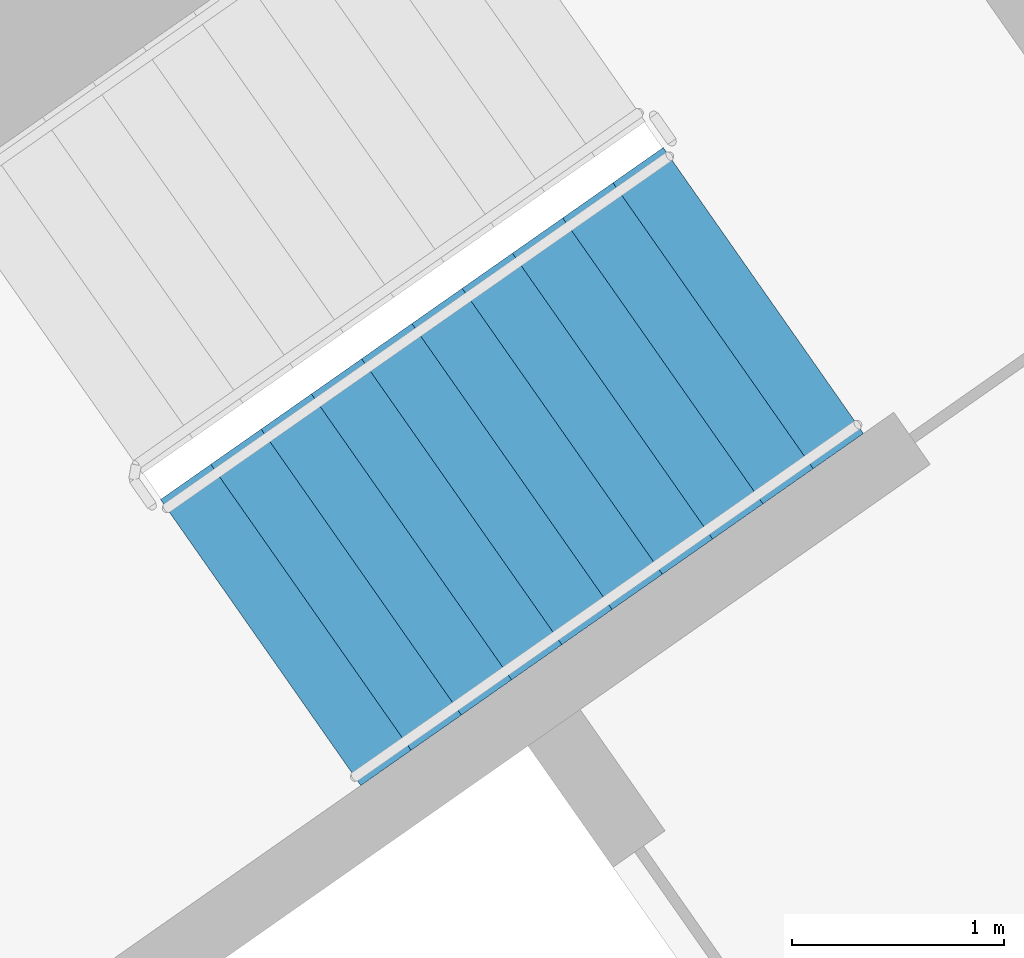
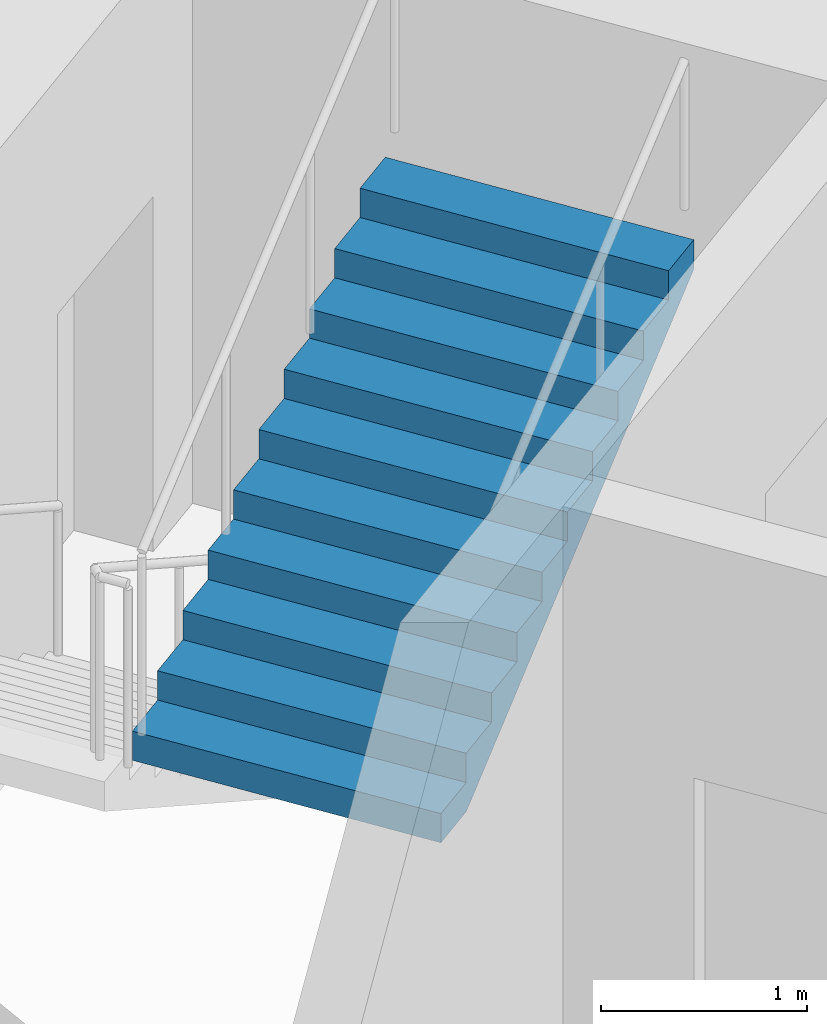
# One storey, part 17 of 29: 1 stair flight, 1 element without a shape of its own.
"""IFC4 building model written with IfcOpenShell, lengths in metres."""

from ifc_helpers import new_model, si_unit, direction, frame, origin, place, context, subcontext, project, spatial, faceted_brep, material, type_object, element, aggregate, save


model = new_model("IFC4")

# Units and contexts
model_context = context("Model", 3, precision=1e-05, world=origin(), true_north=direction((0.0, 1.0)))
body_context = subcontext(model_context, "Body", "Model", "MODEL_VIEW")
ifc_project = project(units=[si_unit("LENGTHUNIT", "METRE"), si_unit("AREAUNIT", "SQUARE_METRE"), si_unit("VOLUMEUNIT", "CUBIC_METRE"), si_unit("PLANEANGLEUNIT", "RADIAN"), si_unit("MASSUNIT", "GRAM", prefix="KILO")], contexts=[model_context])

# Site, building, storey
site_placement = place(None, origin())
site = spatial("IfcSite", under=ifc_project, at=site_placement, CompositionType="ELEMENT")
building_placement = place(site_placement, origin())
building = spatial("IfcBuilding", under=site, at=building_placement, Name="Qamariyya Broadcast Tower", CompositionType="ELEMENT")
storey_placement = place(building_placement, frame((0.0, 0.0, 136.699951171875)))
storey = spatial("IfcBuildingStorey", under=building, at=storey_placement, Name="L31", CompositionType="ELEMENT", Elevation=136.699951171875)

# Stair, stair flight
ifc_material = material(Name="Concrete C50/60", Category="concrete")
stair_type = type_object("IfcStairType", Name="Exit stair 22 risers of 173 mm", PredefinedType="HALF_TURN_STAIR", material=ifc_material)
stair_placement = place(storey_placement, origin())
stair = element("IfcStair", 1, at=stair_placement, inside=storey, type_object=stair_type, Name="L31 Stair E2", PredefinedType="HALF_TURN_STAIR")
stair_flight_type = type_object("IfcStairFlightType", Name="Exit stair flight 11 risers of 173 mm", PredefinedType="STRAIGHT", material=ifc_material)
stair_flight_placement = place(storey_placement, frame((39.215576171875, -50.822998046875, 1.900146484375), z_axis=(0.0, 0.0, 1.0), x_axis=(0.819152044289, 0.573576436351, 0.0)))
stair_flight = element("IfcStairFlight", 2, at=stair_flight_placement, type_object=stair_flight_type, Name="ST-E2 flight 2", NumberOfRisers=11, NumberOfTreads=10, PredefinedType="STRAIGHT", RiserHeight=0.172727273, TreadLength=0.29, context=body_context, shape_type="Brep", body=[
    faceted_brep([(0.0, 0.824951171875, 0.0), (0.0, 0.824951171875, 0.172607421875), (0.2900390625, 0.824951171875, 0.172607421875), (0.2900390625, 0.824951171875, 0.345458984375), (0.580078125, 0.824951171875, 0.345458984375), (0.580078125, 0.824951171875, 0.51806640625), (0.8701171875, 0.824951171875, 0.51806640625), (0.8701171875, 0.824951171875, 0.69091796875), (1.159912109375, 0.824951171875, 0.69091796875), (1.159912109375, 0.824951171875, 0.863525390625), (1.449951171875, 0.824951171875, 0.863525390625), (1.449951171875, 0.824951171875, 1.036376953125), (1.739990234375, 0.824951171875, 1.036376953125), (1.739990234375, 0.824951171875, 1.208984375), (2.030029296875, 0.824951171875, 1.208984375), (2.030029296875, 0.824951171875, 1.3818359375), (2.320068359375, 0.824951171875, 1.3818359375), (2.320068359375, 0.824951171875, 1.554443359375), (2.610107421875, 0.824951171875, 1.554443359375), (2.610107421875, 0.824951171875, 1.727294921875), (2.89990234375, 0.824951171875, 1.727294921875), (2.89990234375, 0.824951171875, 1.552734375), (0.29296875, 0.824951171875, 0.0), (0.29296875, -0.824951171875, 0.0), (2.89990234375, -0.824951171875, 1.552734375), (2.89990234375, -0.824951171875, 1.727294921875), (2.610107421875, -0.824951171875, 1.727294921875), (2.610107421875, -0.824951171875, 1.554443359375), (2.320068359375, -0.824951171875, 1.554443359375), (2.320068359375, -0.824951171875, 1.3818359375), (2.030029296875, -0.824951171875, 1.3818359375), (2.030029296875, -0.824951171875, 1.208984375), (1.739990234375, -0.824951171875, 1.208984375), (1.739990234375, -0.824951171875, 1.036376953125), (1.449951171875, -0.824951171875, 1.036376953125), (1.449951171875, -0.824951171875, 0.863525390625), (1.159912109375, -0.824951171875, 0.863525390625), (1.159912109375, -0.824951171875, 0.69091796875), (0.8701171875, -0.824951171875, 0.69091796875), (0.8701171875, -0.824951171875, 0.51806640625), (0.580078125, -0.824951171875, 0.51806640625), (0.580078125, -0.824951171875, 0.345458984375), (0.2900390625, -0.824951171875, 0.345458984375), (0.2900390625, -0.824951171875, 0.172607421875), (0.0, -0.824951171875, 0.172607421875), (0.0, -0.824951171875, 0.0), (0.0, 0.10009765625, 0.0), (0.0, 0.086669921875, 0.0), (0.0, 0.0732421875, 0.0), (0.0, 0.06005859375, 0.0), (0.0, 0.046630859375, 0.0), (0.0, 0.033447265625, 0.0), (0.0, 0.02001953125, 0.0), (0.0, 0.006591796875, 0.0), (0.0, -0.006591796875, 0.0), (0.0, -0.02001953125, 0.0), (0.0, -0.033447265625, 0.0), (0.0, -0.046630859375, 0.0), (0.0, -0.06005859375, 0.0), (0.0, -0.0732421875, 0.0), (0.0, -0.086669921875, 0.0), (0.0, -0.10009765625, 0.0), (0.0, -0.10009765625, 0.172607421875), (0.0, -0.086669921875, 0.172607421875), (0.0, -0.0732421875, 0.172607421875), (0.0, -0.06005859375, 0.172607421875), (0.0, -0.046630859375, 0.172607421875), (0.0, -0.033447265625, 0.172607421875), (0.0, -0.02001953125, 0.172607421875), (0.0, -0.006591796875, 0.172607421875), (0.0, 0.006591796875, 0.172607421875), (0.0, 0.02001953125, 0.172607421875), (0.0, 0.033447265625, 0.172607421875), (0.0, 0.046630859375, 0.172607421875), (0.0, 0.06005859375, 0.172607421875), (0.0, 0.0732421875, 0.172607421875), (0.0, 0.086669921875, 0.172607421875), (0.0, 0.10009765625, 0.172607421875), (0.2900390625, -0.10009765625, 0.172607421875), (0.2900390625, -0.086669921875, 0.172607421875), (0.2900390625, -0.0732421875, 0.172607421875), (0.2900390625, -0.06005859375, 0.172607421875), (0.2900390625, -0.046630859375, 0.172607421875), (0.2900390625, -0.033447265625, 0.172607421875), (0.2900390625, -0.02001953125, 0.172607421875), (0.2900390625, -0.006591796875, 0.172607421875), (0.2900390625, 0.006591796875, 0.172607421875), (0.2900390625, 0.02001953125, 0.172607421875), (0.2900390625, 0.033447265625, 0.172607421875), (0.2900390625, 0.046630859375, 0.172607421875), (0.2900390625, 0.06005859375, 0.172607421875), (0.2900390625, 0.0732421875, 0.172607421875), (0.2900390625, 0.086669921875, 0.172607421875), (0.2900390625, 0.10009765625, 0.172607421875), (0.2900390625, -0.10009765625, 0.345458984375), (0.2900390625, -0.086669921875, 0.345458984375), (0.2900390625, -0.0732421875, 0.345458984375), (0.2900390625, -0.06005859375, 0.345458984375), (0.2900390625, -0.046630859375, 0.345458984375), (0.2900390625, -0.033447265625, 0.345458984375), (0.2900390625, -0.02001953125, 0.345458984375), (0.2900390625, -0.006591796875, 0.345458984375), (0.2900390625, 0.006591796875, 0.345458984375), (0.2900390625, 0.02001953125, 0.345458984375), (0.2900390625, 0.033447265625, 0.345458984375), (0.2900390625, 0.046630859375, 0.345458984375), (0.2900390625, 0.06005859375, 0.345458984375), (0.2900390625, 0.0732421875, 0.345458984375), (0.2900390625, 0.086669921875, 0.345458984375), (0.2900390625, 0.10009765625, 0.345458984375), (0.580078125, -0.10009765625, 0.345458984375), (0.580078125, -0.086669921875, 0.345458984375), (0.580078125, -0.0732421875, 0.345458984375), (0.580078125, -0.06005859375, 0.345458984375), (0.580078125, -0.046630859375, 0.345458984375), (0.580078125, -0.033447265625, 0.345458984375), (0.580078125, -0.02001953125, 0.345458984375), (0.580078125, -0.006591796875, 0.345458984375), (0.580078125, 0.006591796875, 0.345458984375), (0.580078125, 0.02001953125, 0.345458984375), (0.580078125, 0.033447265625, 0.345458984375), (0.580078125, 0.046630859375, 0.345458984375), (0.580078125, 0.06005859375, 0.345458984375), (0.580078125, 0.0732421875, 0.345458984375), (0.580078125, 0.086669921875, 0.345458984375), (0.580078125, 0.10009765625, 0.345458984375), (0.580078125, -0.10009765625, 0.51806640625), (0.580078125, -0.086669921875, 0.51806640625), (0.580078125, -0.0732421875, 0.51806640625), (0.580078125, -0.06005859375, 0.51806640625), (0.580078125, -0.046630859375, 0.51806640625), (0.580078125, -0.033447265625, 0.51806640625), (0.580078125, -0.02001953125, 0.51806640625), (0.580078125, -0.006591796875, 0.51806640625), (0.580078125, 0.006591796875, 0.51806640625), (0.580078125, 0.02001953125, 0.51806640625), (0.580078125, 0.033447265625, 0.51806640625), (0.580078125, 0.046630859375, 0.51806640625), (0.580078125, 0.06005859375, 0.51806640625), (0.580078125, 0.0732421875, 0.51806640625), (0.580078125, 0.086669921875, 0.51806640625), (0.580078125, 0.10009765625, 0.51806640625), (0.8701171875, -0.10009765625, 0.51806640625), (0.8701171875, -0.086669921875, 0.51806640625), (0.8701171875, -0.0732421875, 0.51806640625), (0.8701171875, -0.06005859375, 0.51806640625), (0.8701171875, -0.046630859375, 0.51806640625), (0.8701171875, -0.033447265625, 0.51806640625), (0.8701171875, -0.02001953125, 0.51806640625), (0.8701171875, -0.006591796875, 0.51806640625), (0.8701171875, 0.006591796875, 0.51806640625), (0.8701171875, 0.02001953125, 0.51806640625), (0.8701171875, 0.033447265625, 0.51806640625), (0.8701171875, 0.046630859375, 0.51806640625), (0.8701171875, 0.06005859375, 0.51806640625), (0.8701171875, 0.0732421875, 0.51806640625), (0.8701171875, 0.086669921875, 0.51806640625), (0.8701171875, 0.10009765625, 0.51806640625), (0.8701171875, -0.10009765625, 0.69091796875), (0.8701171875, -0.086669921875, 0.69091796875), (0.8701171875, -0.0732421875, 0.69091796875), (0.8701171875, -0.06005859375, 0.69091796875), (0.8701171875, -0.046630859375, 0.69091796875), (0.8701171875, -0.033447265625, 0.69091796875), (0.8701171875, -0.02001953125, 0.69091796875), (0.8701171875, -0.006591796875, 0.69091796875), (0.8701171875, 0.006591796875, 0.69091796875), (0.8701171875, 0.02001953125, 0.69091796875), (0.8701171875, 0.033447265625, 0.69091796875), (0.8701171875, 0.046630859375, 0.69091796875), (0.8701171875, 0.06005859375, 0.69091796875), (0.8701171875, 0.0732421875, 0.69091796875), (0.8701171875, 0.086669921875, 0.69091796875), (0.8701171875, 0.10009765625, 0.69091796875), (1.159912109375, -0.10009765625, 0.69091796875), (1.159912109375, -0.086669921875, 0.69091796875), (1.159912109375, -0.0732421875, 0.69091796875), (1.159912109375, -0.06005859375, 0.69091796875), (1.159912109375, -0.046630859375, 0.69091796875), (1.159912109375, -0.033447265625, 0.69091796875), (1.159912109375, -0.02001953125, 0.69091796875), (1.159912109375, -0.006591796875, 0.69091796875), (1.159912109375, 0.006591796875, 0.69091796875), (1.159912109375, 0.02001953125, 0.69091796875), (1.159912109375, 0.033447265625, 0.69091796875), (1.159912109375, 0.046630859375, 0.69091796875), (1.159912109375, 0.06005859375, 0.69091796875), (1.159912109375, 0.0732421875, 0.69091796875), (1.159912109375, 0.086669921875, 0.69091796875), (1.159912109375, 0.10009765625, 0.69091796875), (1.159912109375, -0.10009765625, 0.863525390625), (1.159912109375, -0.086669921875, 0.863525390625), (1.159912109375, -0.0732421875, 0.863525390625), (1.159912109375, -0.06005859375, 0.863525390625), (1.159912109375, -0.046630859375, 0.863525390625), (1.159912109375, -0.033447265625, 0.863525390625), (1.159912109375, -0.02001953125, 0.863525390625), (1.159912109375, -0.006591796875, 0.863525390625), (1.159912109375, 0.006591796875, 0.863525390625), (1.159912109375, 0.02001953125, 0.863525390625), (1.159912109375, 0.033447265625, 0.863525390625), (1.159912109375, 0.046630859375, 0.863525390625), (1.159912109375, 0.06005859375, 0.863525390625), (1.159912109375, 0.0732421875, 0.863525390625), (1.159912109375, 0.086669921875, 0.863525390625), (1.159912109375, 0.10009765625, 0.863525390625), (1.449951171875, -0.10009765625, 0.863525390625), (1.449951171875, -0.086669921875, 0.863525390625), (1.449951171875, -0.0732421875, 0.863525390625), (1.449951171875, -0.06005859375, 0.863525390625), (1.449951171875, -0.046630859375, 0.863525390625), (1.449951171875, -0.033447265625, 0.863525390625), (1.449951171875, -0.02001953125, 0.863525390625), (1.449951171875, -0.006591796875, 0.863525390625), (1.449951171875, 0.006591796875, 0.863525390625), (1.449951171875, 0.02001953125, 0.863525390625), (1.449951171875, 0.033447265625, 0.863525390625), (1.449951171875, 0.046630859375, 0.863525390625), (1.449951171875, 0.06005859375, 0.863525390625), (1.449951171875, 0.0732421875, 0.863525390625), (1.449951171875, 0.086669921875, 0.863525390625), (1.449951171875, 0.10009765625, 0.863525390625), (1.449951171875, -0.10009765625, 1.036376953125), (1.449951171875, -0.086669921875, 1.036376953125), (1.449951171875, -0.0732421875, 1.036376953125), (1.449951171875, -0.06005859375, 1.036376953125), (1.449951171875, -0.046630859375, 1.036376953125), (1.449951171875, -0.033447265625, 1.036376953125), (1.449951171875, -0.02001953125, 1.036376953125), (1.449951171875, -0.006591796875, 1.036376953125), (1.449951171875, 0.006591796875, 1.036376953125), (1.449951171875, 0.02001953125, 1.036376953125), (1.449951171875, 0.033447265625, 1.036376953125), (1.449951171875, 0.046630859375, 1.036376953125), (1.449951171875, 0.06005859375, 1.036376953125), (1.449951171875, 0.0732421875, 1.036376953125), (1.449951171875, 0.086669921875, 1.036376953125), (1.449951171875, 0.10009765625, 1.036376953125), (1.739990234375, -0.10009765625, 1.036376953125), (1.739990234375, -0.086669921875, 1.036376953125), (1.739990234375, -0.0732421875, 1.036376953125), (1.739990234375, -0.06005859375, 1.036376953125), (1.739990234375, -0.046630859375, 1.036376953125), (1.739990234375, -0.033447265625, 1.036376953125), (1.739990234375, -0.02001953125, 1.036376953125), (1.739990234375, -0.006591796875, 1.036376953125), (1.739990234375, 0.006591796875, 1.036376953125), (1.739990234375, 0.02001953125, 1.036376953125), (1.739990234375, 0.033447265625, 1.036376953125), (1.739990234375, 0.046630859375, 1.036376953125), (1.739990234375, 0.06005859375, 1.036376953125), (1.739990234375, 0.0732421875, 1.036376953125), (1.739990234375, 0.086669921875, 1.036376953125), (1.739990234375, 0.10009765625, 1.036376953125), (1.739990234375, -0.10009765625, 1.208984375), (1.739990234375, -0.086669921875, 1.208984375), (1.739990234375, -0.0732421875, 1.208984375), (1.739990234375, -0.06005859375, 1.208984375), (1.739990234375, -0.046630859375, 1.208984375), (1.739990234375, -0.033447265625, 1.208984375), (1.739990234375, -0.02001953125, 1.208984375), (1.739990234375, -0.006591796875, 1.208984375), (1.739990234375, 0.006591796875, 1.208984375), (1.739990234375, 0.02001953125, 1.208984375), (1.739990234375, 0.033447265625, 1.208984375), (1.739990234375, 0.046630859375, 1.208984375), (1.739990234375, 0.06005859375, 1.208984375), (1.739990234375, 0.0732421875, 1.208984375), (1.739990234375, 0.086669921875, 1.208984375), (1.739990234375, 0.10009765625, 1.208984375), (2.030029296875, -0.10009765625, 1.208984375), (2.030029296875, -0.086669921875, 1.208984375), (2.030029296875, -0.0732421875, 1.208984375), (2.030029296875, -0.06005859375, 1.208984375), (2.030029296875, -0.046630859375, 1.208984375), (2.030029296875, -0.033447265625, 1.208984375), (2.030029296875, -0.02001953125, 1.208984375), (2.030029296875, -0.006591796875, 1.208984375), (2.030029296875, 0.006591796875, 1.208984375), (2.030029296875, 0.02001953125, 1.208984375), (2.030029296875, 0.033447265625, 1.208984375), (2.030029296875, 0.046630859375, 1.208984375), (2.030029296875, 0.06005859375, 1.208984375), (2.030029296875, 0.0732421875, 1.208984375), (2.030029296875, 0.086669921875, 1.208984375), (2.030029296875, 0.10009765625, 1.208984375), (2.030029296875, -0.10009765625, 1.3818359375), (2.030029296875, -0.086669921875, 1.3818359375), (2.030029296875, -0.0732421875, 1.3818359375), (2.030029296875, -0.06005859375, 1.3818359375), (2.030029296875, -0.046630859375, 1.3818359375), (2.030029296875, -0.033447265625, 1.3818359375), (2.030029296875, -0.02001953125, 1.3818359375), (2.030029296875, -0.006591796875, 1.3818359375), (2.030029296875, 0.006591796875, 1.3818359375), (2.030029296875, 0.02001953125, 1.3818359375), (2.030029296875, 0.033447265625, 1.3818359375), (2.030029296875, 0.046630859375, 1.3818359375), (2.030029296875, 0.06005859375, 1.3818359375), (2.030029296875, 0.0732421875, 1.3818359375), (2.030029296875, 0.086669921875, 1.3818359375), (2.030029296875, 0.10009765625, 1.3818359375), (2.320068359375, -0.10009765625, 1.3818359375), (2.320068359375, -0.086669921875, 1.3818359375), (2.320068359375, -0.0732421875, 1.3818359375), (2.320068359375, -0.06005859375, 1.3818359375), (2.320068359375, -0.046630859375, 1.3818359375), (2.320068359375, -0.033447265625, 1.3818359375), (2.320068359375, -0.02001953125, 1.3818359375), (2.320068359375, -0.006591796875, 1.3818359375), (2.320068359375, 0.006591796875, 1.3818359375), (2.320068359375, 0.02001953125, 1.3818359375), (2.320068359375, 0.033447265625, 1.3818359375), (2.320068359375, 0.046630859375, 1.3818359375), (2.320068359375, 0.06005859375, 1.3818359375), (2.320068359375, 0.0732421875, 1.3818359375), (2.320068359375, 0.086669921875, 1.3818359375), (2.320068359375, 0.10009765625, 1.3818359375), (2.320068359375, -0.10009765625, 1.554443359375), (2.320068359375, -0.086669921875, 1.554443359375), (2.320068359375, -0.0732421875, 1.554443359375), (2.320068359375, -0.06005859375, 1.554443359375), (2.320068359375, -0.046630859375, 1.554443359375), (2.320068359375, -0.033447265625, 1.554443359375), (2.320068359375, -0.02001953125, 1.554443359375), (2.320068359375, -0.006591796875, 1.554443359375), (2.320068359375, 0.006591796875, 1.554443359375), (2.320068359375, 0.02001953125, 1.554443359375), (2.320068359375, 0.033447265625, 1.554443359375), (2.320068359375, 0.046630859375, 1.554443359375), (2.320068359375, 0.06005859375, 1.554443359375), (2.320068359375, 0.0732421875, 1.554443359375), (2.320068359375, 0.086669921875, 1.554443359375), (2.320068359375, 0.10009765625, 1.554443359375), (2.610107421875, -0.10009765625, 1.554443359375), (2.610107421875, -0.086669921875, 1.554443359375), (2.610107421875, -0.0732421875, 1.554443359375), (2.610107421875, -0.06005859375, 1.554443359375), (2.610107421875, -0.046630859375, 1.554443359375), (2.610107421875, -0.033447265625, 1.554443359375), (2.610107421875, -0.02001953125, 1.554443359375), (2.610107421875, -0.006591796875, 1.554443359375), (2.610107421875, 0.006591796875, 1.554443359375), (2.610107421875, 0.02001953125, 1.554443359375), (2.610107421875, 0.033447265625, 1.554443359375), (2.610107421875, 0.046630859375, 1.554443359375), (2.610107421875, 0.06005859375, 1.554443359375), (2.610107421875, 0.0732421875, 1.554443359375), (2.610107421875, 0.086669921875, 1.554443359375), (2.610107421875, 0.10009765625, 1.554443359375), (2.610107421875, -0.10009765625, 1.727294921875), (2.610107421875, -0.086669921875, 1.727294921875), (2.610107421875, -0.0732421875, 1.727294921875), (2.610107421875, -0.06005859375, 1.727294921875), (2.610107421875, -0.046630859375, 1.727294921875), (2.610107421875, -0.033447265625, 1.727294921875), (2.610107421875, -0.02001953125, 1.727294921875), (2.610107421875, -0.006591796875, 1.727294921875), (2.610107421875, 0.006591796875, 1.727294921875), (2.610107421875, 0.02001953125, 1.727294921875), (2.610107421875, 0.033447265625, 1.727294921875), (2.610107421875, 0.046630859375, 1.727294921875), (2.610107421875, 0.06005859375, 1.727294921875), (2.610107421875, 0.0732421875, 1.727294921875), (2.610107421875, 0.086669921875, 1.727294921875), (2.610107421875, 0.10009765625, 1.727294921875), (2.89990234375, -0.10009765625, 1.727294921875), (2.89990234375, -0.086669921875, 1.727294921875), (2.89990234375, -0.0732421875, 1.727294921875), (2.89990234375, -0.06005859375, 1.727294921875), (2.89990234375, -0.046630859375, 1.727294921875), (2.89990234375, -0.033447265625, 1.727294921875), (2.89990234375, -0.02001953125, 1.727294921875), (2.89990234375, -0.006591796875, 1.727294921875), (2.89990234375, 0.006591796875, 1.727294921875), (2.89990234375, 0.02001953125, 1.727294921875), (2.89990234375, 0.033447265625, 1.727294921875), (2.89990234375, 0.046630859375, 1.727294921875), (2.89990234375, 0.06005859375, 1.727294921875), (2.89990234375, 0.0732421875, 1.727294921875), (2.89990234375, 0.086669921875, 1.727294921875), (2.89990234375, 0.10009765625, 1.727294921875), (2.89990234375, -0.10009765625, 1.552734375), (2.89990234375, -0.086669921875, 1.552734375), (2.89990234375, -0.0732421875, 1.552734375), (2.89990234375, -0.06005859375, 1.552734375), (2.89990234375, -0.046630859375, 1.552734375), (2.89990234375, -0.033447265625, 1.552734375), (2.89990234375, -0.02001953125, 1.552734375), (2.89990234375, -0.006591796875, 1.552734375), (2.89990234375, 0.006591796875, 1.552734375), (2.89990234375, 0.02001953125, 1.552734375), (2.89990234375, 0.033447265625, 1.552734375), (2.89990234375, 0.046630859375, 1.552734375), (2.89990234375, 0.06005859375, 1.552734375), (2.89990234375, 0.0732421875, 1.552734375), (2.89990234375, 0.086669921875, 1.552734375), (2.89990234375, 0.10009765625, 1.552734375), (0.29296875, -0.10009765625, 0.0), (0.29296875, -0.086669921875, 0.0), (0.29296875, -0.0732421875, 0.0), (0.29296875, -0.06005859375, 0.0), (0.29296875, -0.046630859375, 0.0), (0.29296875, -0.033447265625, 0.0), (0.29296875, -0.02001953125, 0.0), (0.29296875, -0.006591796875, 0.0), (0.29296875, 0.006591796875, 0.0), (0.29296875, 0.02001953125, 0.0), (0.29296875, 0.033447265625, 0.0), (0.29296875, 0.046630859375, 0.0), (0.29296875, 0.06005859375, 0.0), (0.29296875, 0.0732421875, 0.0), (0.29296875, 0.086669921875, 0.0), (0.29296875, 0.10009765625, 0.0)], [[[0, 1, 2, 3, 4, 5, 6, 7, 8, 9, 10, 11, 12, 13, 14, 15, 16, 17, 18, 19, 20, 21, 22]], [[23, 24, 25, 26, 27, 28, 29, 30, 31, 32, 33, 34, 35, 36, 37, 38, 39, 40, 41, 42, 43, 44, 45]], [[0, 46, 47, 48, 49, 50, 51, 52, 53, 54, 55, 56, 57, 58, 59, 60, 61, 45, 44, 62, 63, 64, 65, 66, 67, 68, 69, 70, 71, 72, 73, 74, 75, 76, 77, 1]], [[1, 77, 76, 75, 74, 73, 72, 71, 70, 69, 68, 67, 66, 65, 64, 63, 62, 44, 43, 78, 79, 80, 81, 82, 83, 84, 85, 86, 87, 88, 89, 90, 91, 92, 93, 2]], [[2, 93, 92, 91, 90, 89, 88, 87, 86, 85, 84, 83, 82, 81, 80, 79, 78, 43, 42, 94, 95, 96, 97, 98, 99, 100, 101, 102, 103, 104, 105, 106, 107, 108, 109, 3]], [[3, 109, 108, 107, 106, 105, 104, 103, 102, 101, 100, 99, 98, 97, 96, 95, 94, 42, 41, 110, 111, 112, 113, 114, 115, 116, 117, 118, 119, 120, 121, 122, 123, 124, 125, 4]], [[4, 125, 124, 123, 122, 121, 120, 119, 118, 117, 116, 115, 114, 113, 112, 111, 110, 41, 40, 126, 127, 128, 129, 130, 131, 132, 133, 134, 135, 136, 137, 138, 139, 140, 141, 5]], [[5, 141, 140, 139, 138, 137, 136, 135, 134, 133, 132, 131, 130, 129, 128, 127, 126, 40, 39, 142, 143, 144, 145, 146, 147, 148, 149, 150, 151, 152, 153, 154, 155, 156, 157, 6]], [[6, 157, 156, 155, 154, 153, 152, 151, 150, 149, 148, 147, 146, 145, 144, 143, 142, 39, 38, 158, 159, 160, 161, 162, 163, 164, 165, 166, 167, 168, 169, 170, 171, 172, 173, 7]], [[7, 173, 172, 171, 170, 169, 168, 167, 166, 165, 164, 163, 162, 161, 160, 159, 158, 38, 37, 174, 175, 176, 177, 178, 179, 180, 181, 182, 183, 184, 185, 186, 187, 188, 189, 8]], [[8, 189, 188, 187, 186, 185, 184, 183, 182, 181, 180, 179, 178, 177, 176, 175, 174, 37, 36, 190, 191, 192, 193, 194, 195, 196, 197, 198, 199, 200, 201, 202, 203, 204, 205, 9]], [[9, 205, 204, 203, 202, 201, 200, 199, 198, 197, 196, 195, 194, 193, 192, 191, 190, 36, 35, 206, 207, 208, 209, 210, 211, 212, 213, 214, 215, 216, 217, 218, 219, 220, 221, 10]], [[10, 221, 220, 219, 218, 217, 216, 215, 214, 213, 212, 211, 210, 209, 208, 207, 206, 35, 34, 222, 223, 224, 225, 226, 227, 228, 229, 230, 231, 232, 233, 234, 235, 236, 237, 11]], [[11, 237, 236, 235, 234, 233, 232, 231, 230, 229, 228, 227, 226, 225, 224, 223, 222, 34, 33, 238, 239, 240, 241, 242, 243, 244, 245, 246, 247, 248, 249, 250, 251, 252, 253, 12]], [[12, 253, 252, 251, 250, 249, 248, 247, 246, 245, 244, 243, 242, 241, 240, 239, 238, 33, 32, 254, 255, 256, 257, 258, 259, 260, 261, 262, 263, 264, 265, 266, 267, 268, 269, 13]], [[13, 269, 268, 267, 266, 265, 264, 263, 262, 261, 260, 259, 258, 257, 256, 255, 254, 32, 31, 270, 271, 272, 273, 274, 275, 276, 277, 278, 279, 280, 281, 282, 283, 284, 285, 14]], [[14, 285, 284, 283, 282, 281, 280, 279, 278, 277, 276, 275, 274, 273, 272, 271, 270, 31, 30, 286, 287, 288, 289, 290, 291, 292, 293, 294, 295, 296, 297, 298, 299, 300, 301, 15]], [[15, 301, 300, 299, 298, 297, 296, 295, 294, 293, 292, 291, 290, 289, 288, 287, 286, 30, 29, 302, 303, 304, 305, 306, 307, 308, 309, 310, 311, 312, 313, 314, 315, 316, 317, 16]], [[16, 317, 316, 315, 314, 313, 312, 311, 310, 309, 308, 307, 306, 305, 304, 303, 302, 29, 28, 318, 319, 320, 321, 322, 323, 324, 325, 326, 327, 328, 329, 330, 331, 332, 333, 17]], [[17, 333, 332, 331, 330, 329, 328, 327, 326, 325, 324, 323, 322, 321, 320, 319, 318, 28, 27, 334, 335, 336, 337, 338, 339, 340, 341, 342, 343, 344, 345, 346, 347, 348, 349, 18]], [[18, 349, 348, 347, 346, 345, 344, 343, 342, 341, 340, 339, 338, 337, 336, 335, 334, 27, 26, 350, 351, 352, 353, 354, 355, 356, 357, 358, 359, 360, 361, 362, 363, 364, 365, 19]], [[19, 365, 364, 363, 362, 361, 360, 359, 358, 357, 356, 355, 354, 353, 352, 351, 350, 26, 25, 366, 367, 368, 369, 370, 371, 372, 373, 374, 375, 376, 377, 378, 379, 380, 381, 20]], [[20, 381, 380, 379, 378, 377, 376, 375, 374, 373, 372, 371, 370, 369, 368, 367, 366, 25, 24, 382, 383, 384, 385, 386, 387, 388, 389, 390, 391, 392, 393, 394, 395, 396, 397, 21]], [[21, 397, 396, 395, 394, 393, 392, 391, 390, 389, 388, 387, 386, 385, 384, 383, 382, 24, 23, 398, 399, 400, 401, 402, 403, 404, 405, 406, 407, 408, 409, 410, 411, 412, 413, 22]], [[22, 413, 412, 411, 410, 409, 408, 407, 406, 405, 404, 403, 402, 401, 400, 399, 398, 23, 45, 61, 60, 59, 58, 57, 56, 55, 54, 53, 52, 51, 50, 49, 48, 47, 46, 0]]]),
])
aggregate(stair, [stair_flight])

save(model, "model.ifc")
